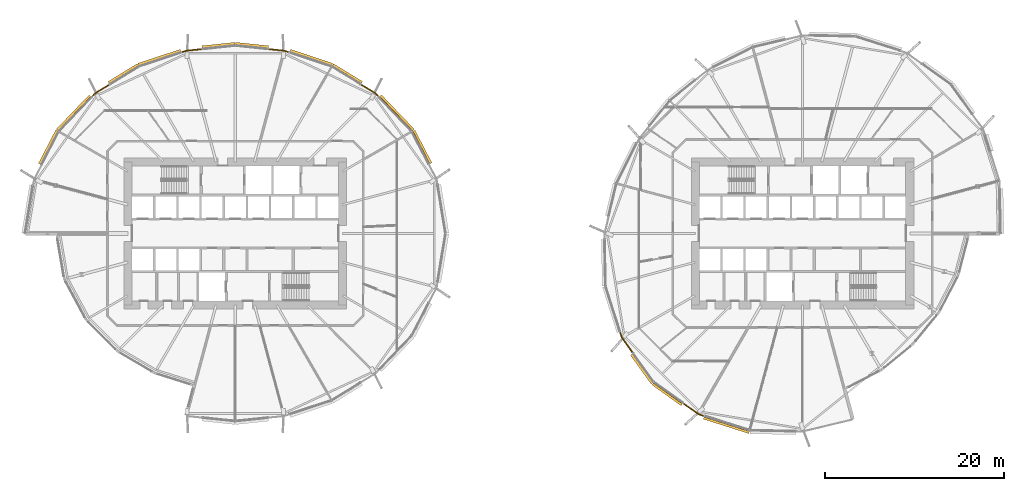
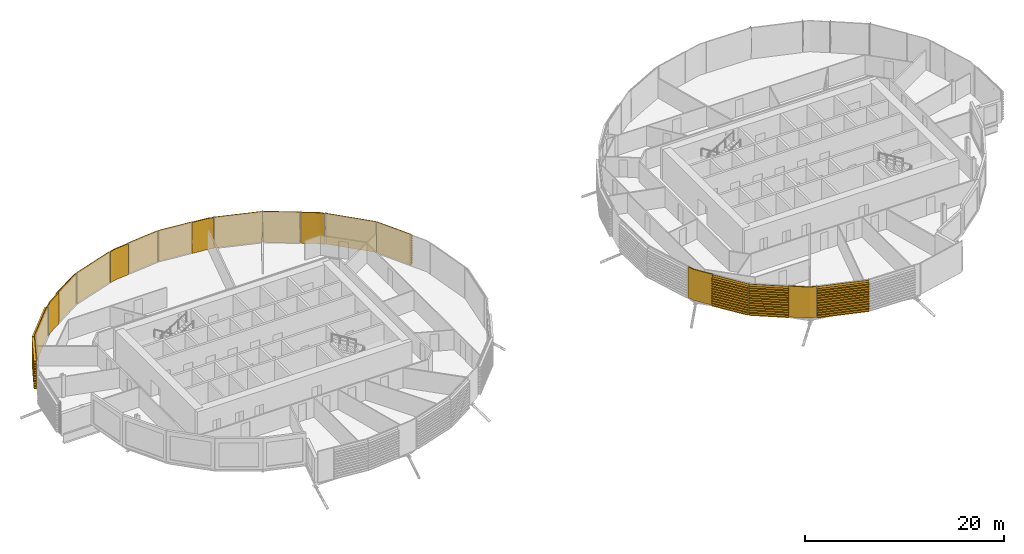
# One storey, part 35 of 38: 19 coverings.
"""IFC4 building model written with IfcOpenShell, lengths in metres."""

from ifc_helpers import new_model, si_unit, direction, frame, origin, place, context, subcontext, project, spatial, polyline, outline, extrude, material, layer, layer_set, material_profile, profile_set, type_object, element, save


model = new_model("IFC4")

# Units and contexts
model_context = context("Model", 3, precision=1e-05, world=origin(), true_north=direction((0.0, 1.0)))
body_context = subcontext(model_context, "Body", "Model", "MODEL_VIEW")
ifc_project = project(units=[si_unit("LENGTHUNIT", "METRE"), si_unit("AREAUNIT", "SQUARE_METRE"), si_unit("VOLUMEUNIT", "CUBIC_METRE"), si_unit("PLANEANGLEUNIT", "RADIAN"), si_unit("MASSUNIT", "GRAM", prefix="KILO")], contexts=[model_context])

# Site, building, storey
site_placement = place(None, origin())
site = spatial("IfcSite", under=ifc_project, at=site_placement, CompositionType="ELEMENT")
building_placement = place(site_placement, origin())
building = spatial("IfcBuilding", under=site, at=building_placement, Name="Rimbun Link Towers", CompositionType="ELEMENT")
storey_placement = place(building_placement, frame((0.0, 0.0, 68.0)))
storey = spatial("IfcBuildingStorey", under=building, at=storey_placement, Name="L16", CompositionType="ELEMENT", Elevation=68.0)

# Coverings
ifc_material_1 = material(Name="Terracotta", Category="masonry")
ifc_layer = layer(ifc_material_1, 0.1201171875)
ifc_layer_set = layer_set([ifc_layer], Name="LINK PIER terracotta cladding 120")
covering_type_1 = type_object("IfcCoveringType", Name="LINK PIER terracotta cladding 120", PredefinedType="CLADDING", material=ifc_layer_set)
covering_1_placement = place(storey_placement, origin())
element("IfcCovering", 1, at=covering_1_placement, inside=storey, type_object=covering_type_1, Name="LINK PIER cladding", PredefinedType="CLADDING", context=body_context, shape_type="SweptSolid", body=[
    extrude(outline(polyline([(-17.696044921875, 16.6259765625), (-16.102294921875, 15.647705078125), (-15.7080078125, 15.236083984375), (-15.621337890625, 15.319091796875), (-16.0263671875, 15.74169921875), (-17.63330078125, 16.728271484375), (-17.696044921875, 16.6259765625)])), origin(), (0.0, 0.0, 1.0), 3.800048828125),
])
covering_2_placement = place(storey_placement, origin())
element("IfcCovering", 2, at=covering_2_placement, inside=storey, type_object=covering_type_1, Name="LINK PIER cladding", PredefinedType="CLADDING", context=body_context, shape_type="SweptSolid", body=[
    extrude(outline(polyline([(-28.043701171875, 20.586669921875), (-26.283447265625, 20.4013671875), (-25.742431640625, 20.221923828125), (-25.70458984375, 20.3359375), (-26.258056640625, 20.519287109375), (-28.03125, 20.7060546875), (-28.043701171875, 20.586669921875)])), origin(), (0.0, 0.0, 1.0), 3.800048828125),
])
covering_3_placement = place(storey_placement, origin())
element("IfcCovering", 3, at=covering_3_placement, inside=storey, type_object=covering_type_1, Name="LINK PIER cladding", PredefinedType="CLADDING", context=body_context, shape_type="SweptSolid", body=[
    extrude(outline(polyline([(-37.757568359375, 20.221923828125), (-37.216552734375, 20.4013671875), (-35.456298828125, 20.586669921875), (-35.46875, 20.7060546875), (-37.241943359375, 20.519287109375), (-37.79541015625, 20.3359375), (-37.757568359375, 20.221923828125)])), origin(), (0.0, 0.0, 1.0), 3.800048828125),
])
covering_4_placement = place(storey_placement, origin())
element("IfcCovering", 4, at=covering_4_placement, inside=storey, type_object=covering_type_1, Name="LINK PIER cladding", PredefinedType="CLADDING", context=body_context, shape_type="SweptSolid", body=[
    extrude(outline(polyline([(-47.7919921875, 15.236083984375), (-47.397705078125, 15.647705078125), (-45.803955078125, 16.6259765625), (-45.86669921875, 16.728271484375), (-47.4736328125, 15.74169921875), (-47.878662109375, 15.319091796875), (-47.7919921875, 15.236083984375)])), origin(), (0.0, 0.0, 1.0), 3.800048828125),
])
covering_5_placement = place(storey_placement, origin())
element("IfcCovering", 5, at=covering_5_placement, inside=storey, type_object=covering_type_1, Name="LINK PIER cladding", PredefinedType="CLADDING", context=body_context, shape_type="SweptSolid", body=[
    extrude(outline(polyline([(12.810546875, -13.370849609375), (11.574462890625, -11.648193359375), (11.371337890625, -11.009765625), (11.257080078125, -11.046142578125), (11.4658203125, -11.702880859375), (12.712890625, -13.440673828125), (12.810546875, -13.370849609375)])), origin(), (0.0, 0.0, 1.0), 3.800048828125),
])
covering_6_placement = place(storey_placement, origin())
element("IfcCovering", 6, at=covering_6_placement, inside=storey, type_object=covering_type_1, Name="LINK PIER cladding", PredefinedType="CLADDING", context=body_context, shape_type="SweptSolid", body=[
    extrude(outline(polyline([(20.740234375, -20.378662109375), (20.101806640625, -20.175537109375), (18.419921875, -18.96875), (18.349853515625, -19.066162109375), (20.047119140625, -20.2841796875), (20.703857421875, -20.492919921875), (20.740234375, -20.378662109375)])), origin(), (0.0, 0.0, 1.0), 3.800048828125),
])
ifc_material_2 = material(Name="Terracotta", Category="masonry")
ifc_material_profile = material_profile(ifc_material_2, outline(polyline([(0.123046875, 0.0), (0.1630859375, 0.0), (0.1630859375, 0.10009765625), (0.423095703125, 0.10009765625), (0.423095703125, 0.219970703125), (0.1630859375, 0.219970703125), (0.1630859375, 0.39990234375), (0.423095703125, 0.39990234375), (0.423095703125, 0.52001953125), (0.1630859375, 0.52001953125), (0.1630859375, 0.699951171875), (0.423095703125, 0.699951171875), (0.423095703125, 0.820068359375), (0.1630859375, 0.820068359375), (0.1630859375, 1.0), (0.423095703125, 1.0), (0.423095703125, 1.1201171875), (0.1630859375, 1.1201171875), (0.1630859375, 1.300048828125), (0.423095703125, 1.300048828125), (0.423095703125, 1.419921875), (0.1630859375, 1.419921875), (0.1630859375, 1.60009765625), (0.423095703125, 1.60009765625), (0.423095703125, 1.719970703125), (0.1630859375, 1.719970703125), (0.1630859375, 1.89990234375), (0.423095703125, 1.89990234375), (0.423095703125, 2.02001953125), (0.1630859375, 2.02001953125), (0.1630859375, 2.199951171875), (0.423095703125, 2.199951171875), (0.423095703125, 2.320068359375), (0.1630859375, 2.320068359375), (0.1630859375, 2.5), (0.423095703125, 2.5), (0.423095703125, 2.6201171875), (0.1630859375, 2.6201171875), (0.1630859375, 2.800048828125), (0.423095703125, 2.800048828125), (0.423095703125, 2.919921875), (0.1630859375, 2.919921875), (0.1630859375, 3.10009765625), (0.423095703125, 3.10009765625), (0.423095703125, 3.219970703125), (0.1630859375, 3.219970703125), (0.1630859375, 3.39990234375), (0.423095703125, 3.39990234375), (0.423095703125, 3.52001953125), (0.1630859375, 3.52001953125), (0.1630859375, 3.800048828125), (0.123046875, 3.800048828125), (0.123046875, 0.0)])), Name="BAGUETTE 120X300")
ifc_profile_set = profile_set([ifc_material_profile], Name="Terracotta")
covering_type_2 = type_object("IfcCoveringType", Name="TERRACOTTA BAGUETTE 120X300 H3800", PredefinedType="CLADDING", material=ifc_profile_set)
covering_7_placement = place(storey_placement, frame((-12.02099609375, 11.390380859375, 0.0), z_axis=(0.459543354424, -0.888155338556, 0.0), x_axis=(0.888155338556, 0.459543354424, 0.0)))
element("IfcCovering", 7, at=covering_7_placement, inside=storey, type_object=covering_type_2, Name="TERRACOTTA BAGUETTE", PredefinedType="CLADDING", context=body_context, shape_type="SweptSolid", body=[
    extrude(outline(polyline([(0.123046875, 0.0), (0.1630859375, 0.0), (0.1630859375, 0.10009765625), (0.423095703125, 0.10009765625), (0.423095703125, 0.219970703125), (0.1630859375, 0.219970703125), (0.1630859375, 0.39990234375), (0.423095703125, 0.39990234375), (0.423095703125, 0.52001953125), (0.1630859375, 0.52001953125), (0.1630859375, 0.699951171875), (0.423095703125, 0.699951171875), (0.423095703125, 0.820068359375), (0.1630859375, 0.820068359375), (0.1630859375, 1.0), (0.423095703125, 1.0), (0.423095703125, 1.1201171875), (0.1630859375, 1.1201171875), (0.1630859375, 1.300048828125), (0.423095703125, 1.300048828125), (0.423095703125, 1.419921875), (0.1630859375, 1.419921875), (0.1630859375, 1.60009765625), (0.423095703125, 1.60009765625), (0.423095703125, 1.719970703125), (0.1630859375, 1.719970703125), (0.1630859375, 1.89990234375), (0.423095703125, 1.89990234375), (0.423095703125, 2.02001953125), (0.1630859375, 2.02001953125), (0.1630859375, 2.199951171875), (0.423095703125, 2.199951171875), (0.423095703125, 2.320068359375), (0.1630859375, 2.320068359375), (0.1630859375, 2.5), (0.423095703125, 2.5), (0.423095703125, 2.6201171875), (0.1630859375, 2.6201171875), (0.1630859375, 2.800048828125), (0.423095703125, 2.800048828125), (0.423095703125, 2.919921875), (0.1630859375, 2.919921875), (0.1630859375, 3.10009765625), (0.423095703125, 3.10009765625), (0.423095703125, 3.219970703125), (0.1630859375, 3.219970703125), (0.1630859375, 3.39990234375), (0.423095703125, 3.39990234375), (0.423095703125, 3.52001953125), (0.1630859375, 3.52001953125), (0.1630859375, 3.800048828125), (0.123046875, 3.800048828125), (0.123046875, 0.0)])), origin(), (0.0, 0.0, 1.0), 4.135986328125),
])
covering_8_placement = place(storey_placement, frame((-15.687255859375, 15.214599609375, 0.0), z_axis=(0.6920414756, -0.721857739482, 0.0), x_axis=(0.721857739482, 0.6920414756, 0.0)))
element("IfcCovering", 8, at=covering_8_placement, inside=storey, type_object=covering_type_2, Name="TERRACOTTA BAGUETTE", PredefinedType="CLADDING", context=body_context, shape_type="SweptSolid", body=[
    extrude(outline(polyline([(0.123046875, 0.0), (0.1630859375, 0.0), (0.1630859375, 0.10009765625), (0.423095703125, 0.10009765625), (0.423095703125, 0.219970703125), (0.1630859375, 0.219970703125), (0.1630859375, 0.39990234375), (0.423095703125, 0.39990234375), (0.423095703125, 0.52001953125), (0.1630859375, 0.52001953125), (0.1630859375, 0.699951171875), (0.423095703125, 0.699951171875), (0.423095703125, 0.820068359375), (0.1630859375, 0.820068359375), (0.1630859375, 1.0), (0.423095703125, 1.0), (0.423095703125, 1.1201171875), (0.1630859375, 1.1201171875), (0.1630859375, 1.300048828125), (0.423095703125, 1.300048828125), (0.423095703125, 1.419921875), (0.1630859375, 1.419921875), (0.1630859375, 1.60009765625), (0.423095703125, 1.60009765625), (0.423095703125, 1.719970703125), (0.1630859375, 1.719970703125), (0.1630859375, 1.89990234375), (0.423095703125, 1.89990234375), (0.423095703125, 2.02001953125), (0.1630859375, 2.02001953125), (0.1630859375, 2.199951171875), (0.423095703125, 2.199951171875), (0.423095703125, 2.320068359375), (0.1630859375, 2.320068359375), (0.1630859375, 2.5), (0.423095703125, 2.5), (0.423095703125, 2.6201171875), (0.1630859375, 2.6201171875), (0.1630859375, 2.800048828125), (0.423095703125, 2.800048828125), (0.423095703125, 2.919921875), (0.1630859375, 2.919921875), (0.1630859375, 3.10009765625), (0.423095703125, 3.10009765625), (0.423095703125, 3.219970703125), (0.1630859375, 3.219970703125), (0.1630859375, 3.39990234375), (0.423095703125, 3.39990234375), (0.423095703125, 3.52001953125), (0.1630859375, 3.52001953125), (0.1630859375, 3.800048828125), (0.123046875, 3.800048828125), (0.123046875, 0.0)])), origin(), (0.0, 0.0, 1.0), 5.2978515625),
])
covering_9_placement = place(storey_placement, frame((-20.985107421875, 18.6455078125, 0.0), z_axis=(0.852211619155, -0.523197244046, 0.0), x_axis=(0.523197244046, 0.852211619155, 0.0)))
element("IfcCovering", 9, at=covering_9_placement, inside=storey, type_object=covering_type_2, Name="TERRACOTTA BAGUETTE", PredefinedType="CLADDING", context=body_context, shape_type="SweptSolid", body=[
    extrude(outline(polyline([(0.123046875, 0.0), (0.1630859375, 0.0), (0.1630859375, 0.10009765625), (0.423095703125, 0.10009765625), (0.423095703125, 0.219970703125), (0.1630859375, 0.219970703125), (0.1630859375, 0.39990234375), (0.423095703125, 0.39990234375), (0.423095703125, 0.52001953125), (0.1630859375, 0.52001953125), (0.1630859375, 0.699951171875), (0.423095703125, 0.699951171875), (0.423095703125, 0.820068359375), (0.1630859375, 0.820068359375), (0.1630859375, 1.0), (0.423095703125, 1.0), (0.423095703125, 1.1201171875), (0.1630859375, 1.1201171875), (0.1630859375, 1.300048828125), (0.423095703125, 1.300048828125), (0.423095703125, 1.419921875), (0.1630859375, 1.419921875), (0.1630859375, 1.60009765625), (0.423095703125, 1.60009765625), (0.423095703125, 1.719970703125), (0.1630859375, 1.719970703125), (0.1630859375, 1.89990234375), (0.423095703125, 1.89990234375), (0.423095703125, 2.02001953125), (0.1630859375, 2.02001953125), (0.1630859375, 2.199951171875), (0.423095703125, 2.199951171875), (0.423095703125, 2.320068359375), (0.1630859375, 2.320068359375), (0.1630859375, 2.5), (0.423095703125, 2.5), (0.423095703125, 2.6201171875), (0.1630859375, 2.6201171875), (0.1630859375, 2.800048828125), (0.423095703125, 2.800048828125), (0.423095703125, 2.919921875), (0.1630859375, 2.919921875), (0.1630859375, 3.10009765625), (0.423095703125, 3.10009765625), (0.423095703125, 3.219970703125), (0.1630859375, 3.219970703125), (0.1630859375, 3.39990234375), (0.423095703125, 3.39990234375), (0.423095703125, 3.52001953125), (0.1630859375, 3.52001953125), (0.1630859375, 3.800048828125), (0.123046875, 3.800048828125), (0.123046875, 0.0)])), origin(), (0.0, 0.0, 1.0), 3.82958984375),
])
covering_10_placement = place(storey_placement, frame((-25.7138671875, 20.212646484375, 0.0), z_axis=(0.949230755565, -0.314580629871, 0.0), x_axis=(0.314580629871, 0.949230755565, 0.0)))
element("IfcCovering", 10, at=covering_10_placement, inside=storey, type_object=covering_type_2, Name="TERRACOTTA BAGUETTE", PredefinedType="CLADDING", context=body_context, shape_type="SweptSolid", body=[
    extrude(outline(polyline([(0.123046875, 0.0), (0.1630859375, 0.0), (0.1630859375, 0.10009765625), (0.423095703125, 0.10009765625), (0.423095703125, 0.219970703125), (0.1630859375, 0.219970703125), (0.1630859375, 0.39990234375), (0.423095703125, 0.39990234375), (0.423095703125, 0.52001953125), (0.1630859375, 0.52001953125), (0.1630859375, 0.699951171875), (0.423095703125, 0.699951171875), (0.423095703125, 0.820068359375), (0.1630859375, 0.820068359375), (0.1630859375, 1.0), (0.423095703125, 1.0), (0.423095703125, 1.1201171875), (0.1630859375, 1.1201171875), (0.1630859375, 1.300048828125), (0.423095703125, 1.300048828125), (0.423095703125, 1.419921875), (0.1630859375, 1.419921875), (0.1630859375, 1.60009765625), (0.423095703125, 1.60009765625), (0.423095703125, 1.719970703125), (0.1630859375, 1.719970703125), (0.1630859375, 1.89990234375), (0.423095703125, 1.89990234375), (0.423095703125, 2.02001953125), (0.1630859375, 2.02001953125), (0.1630859375, 2.199951171875), (0.423095703125, 2.199951171875), (0.423095703125, 2.320068359375), (0.1630859375, 2.320068359375), (0.1630859375, 2.5), (0.423095703125, 2.5), (0.423095703125, 2.6201171875), (0.1630859375, 2.6201171875), (0.1630859375, 2.800048828125), (0.423095703125, 2.800048828125), (0.423095703125, 2.919921875), (0.1630859375, 2.919921875), (0.1630859375, 3.10009765625), (0.423095703125, 3.10009765625), (0.423095703125, 3.219970703125), (0.1630859375, 3.219970703125), (0.1630859375, 3.39990234375), (0.423095703125, 3.39990234375), (0.423095703125, 3.52001953125), (0.1630859375, 3.52001953125), (0.1630859375, 3.800048828125), (0.123046875, 3.800048828125), (0.123046875, 0.0)])), origin(), (0.0, 0.0, 1.0), 4.981689453125),
])
for number, where, z_axis, x_axis, name in (
    (11, (-31.75, 20.97705078125, 0.0), (0.994499661573, -0.104739787719, 0.0), (0.104739787719, 0.994499661573, 0.0), "TERRACOTTA BAGUETTE"),
    (12, (-35.426513671875, 20.58984375, 0.0), (0.994499661573, 0.104739787719, 0.0), (-0.104739787719, 0.994499661573, 0.0), "TERRACOTTA BAGUETTE"),
):
    element("IfcCovering", number, at=place(storey_placement, frame(where, z_axis=z_axis, x_axis=x_axis)), inside=storey, type_object=covering_type_2, Name=name, PredefinedType="CLADDING", context=body_context, shape_type="SweptSolid", body=[
        extrude(outline(polyline([(0.123046875, 0.0), (0.1630859375, 0.0), (0.1630859375, 0.10009765625), (0.423095703125, 0.10009765625), (0.423095703125, 0.219970703125), (0.1630859375, 0.219970703125), (0.1630859375, 0.39990234375), (0.423095703125, 0.39990234375), (0.423095703125, 0.52001953125), (0.1630859375, 0.52001953125), (0.1630859375, 0.699951171875), (0.423095703125, 0.699951171875), (0.423095703125, 0.820068359375), (0.1630859375, 0.820068359375), (0.1630859375, 1.0), (0.423095703125, 1.0), (0.423095703125, 1.1201171875), (0.1630859375, 1.1201171875), (0.1630859375, 1.300048828125), (0.423095703125, 1.300048828125), (0.423095703125, 1.419921875), (0.1630859375, 1.419921875), (0.1630859375, 1.60009765625), (0.423095703125, 1.60009765625), (0.423095703125, 1.719970703125), (0.1630859375, 1.719970703125), (0.1630859375, 1.89990234375), (0.423095703125, 1.89990234375), (0.423095703125, 2.02001953125), (0.1630859375, 2.02001953125), (0.1630859375, 2.199951171875), (0.423095703125, 2.199951171875), (0.423095703125, 2.320068359375), (0.1630859375, 2.320068359375), (0.1630859375, 2.5), (0.423095703125, 2.5), (0.423095703125, 2.6201171875), (0.1630859375, 2.6201171875), (0.1630859375, 2.800048828125), (0.423095703125, 2.800048828125), (0.423095703125, 2.919921875), (0.1630859375, 2.919921875), (0.1630859375, 3.10009765625), (0.423095703125, 3.10009765625), (0.423095703125, 3.219970703125), (0.1630859375, 3.219970703125), (0.1630859375, 3.39990234375), (0.423095703125, 3.39990234375), (0.423095703125, 3.52001953125), (0.1630859375, 3.52001953125), (0.1630859375, 3.800048828125), (0.123046875, 3.800048828125), (0.123046875, 0.0)])), origin(), (0.0, 0.0, 1.0), 3.69677734375),
    ])
covering_11_placement = place(storey_placement, frame((-42.514892578125, 18.6455078125, 0.0), z_axis=(0.949230755565, 0.314580629871, 0.0), x_axis=(-0.314580629871, 0.949230755565, 0.0)))
element("IfcCovering", 13, at=covering_11_placement, inside=storey, type_object=covering_type_2, Name="TERRACOTTA BAGUETTE", PredefinedType="CLADDING", context=body_context, shape_type="SweptSolid", body=[
    extrude(outline(polyline([(0.123046875, 0.0), (0.1630859375, 0.0), (0.1630859375, 0.10009765625), (0.423095703125, 0.10009765625), (0.423095703125, 0.219970703125), (0.1630859375, 0.219970703125), (0.1630859375, 0.39990234375), (0.423095703125, 0.39990234375), (0.423095703125, 0.52001953125), (0.1630859375, 0.52001953125), (0.1630859375, 0.699951171875), (0.423095703125, 0.699951171875), (0.423095703125, 0.820068359375), (0.1630859375, 0.820068359375), (0.1630859375, 1.0), (0.423095703125, 1.0), (0.423095703125, 1.1201171875), (0.1630859375, 1.1201171875), (0.1630859375, 1.300048828125), (0.423095703125, 1.300048828125), (0.423095703125, 1.419921875), (0.1630859375, 1.419921875), (0.1630859375, 1.60009765625), (0.423095703125, 1.60009765625), (0.423095703125, 1.719970703125), (0.1630859375, 1.719970703125), (0.1630859375, 1.89990234375), (0.423095703125, 1.89990234375), (0.423095703125, 2.02001953125), (0.1630859375, 2.02001953125), (0.1630859375, 2.199951171875), (0.423095703125, 2.199951171875), (0.423095703125, 2.320068359375), (0.1630859375, 2.320068359375), (0.1630859375, 2.5), (0.423095703125, 2.5), (0.423095703125, 2.6201171875), (0.1630859375, 2.6201171875), (0.1630859375, 2.800048828125), (0.423095703125, 2.800048828125), (0.423095703125, 2.919921875), (0.1630859375, 2.919921875), (0.1630859375, 3.10009765625), (0.423095703125, 3.10009765625), (0.423095703125, 3.219970703125), (0.1630859375, 3.219970703125), (0.1630859375, 3.39990234375), (0.423095703125, 3.39990234375), (0.423095703125, 3.52001953125), (0.1630859375, 3.52001953125), (0.1630859375, 3.800048828125), (0.123046875, 3.800048828125), (0.123046875, 0.0)])), origin(), (0.0, 0.0, 1.0), 4.981689453125),
])
covering_12_placement = place(storey_placement, frame((-45.778564453125, 16.641845703125, 0.0), z_axis=(0.852211619155, 0.523197244046, 0.0), x_axis=(-0.523197244046, 0.852211619155, 0.0)))
element("IfcCovering", 14, at=covering_12_placement, inside=storey, type_object=covering_type_2, Name="TERRACOTTA BAGUETTE", PredefinedType="CLADDING", context=body_context, shape_type="SweptSolid", body=[
    extrude(outline(polyline([(0.123046875, 0.0), (0.1630859375, 0.0), (0.1630859375, 0.10009765625), (0.423095703125, 0.10009765625), (0.423095703125, 0.219970703125), (0.1630859375, 0.219970703125), (0.1630859375, 0.39990234375), (0.423095703125, 0.39990234375), (0.423095703125, 0.52001953125), (0.1630859375, 0.52001953125), (0.1630859375, 0.699951171875), (0.423095703125, 0.699951171875), (0.423095703125, 0.820068359375), (0.1630859375, 0.820068359375), (0.1630859375, 1.0), (0.423095703125, 1.0), (0.423095703125, 1.1201171875), (0.1630859375, 1.1201171875), (0.1630859375, 1.300048828125), (0.423095703125, 1.300048828125), (0.423095703125, 1.419921875), (0.1630859375, 1.419921875), (0.1630859375, 1.60009765625), (0.423095703125, 1.60009765625), (0.423095703125, 1.719970703125), (0.1630859375, 1.719970703125), (0.1630859375, 1.89990234375), (0.423095703125, 1.89990234375), (0.423095703125, 2.02001953125), (0.1630859375, 2.02001953125), (0.1630859375, 2.199951171875), (0.423095703125, 2.199951171875), (0.423095703125, 2.320068359375), (0.1630859375, 2.320068359375), (0.1630859375, 2.5), (0.423095703125, 2.5), (0.423095703125, 2.6201171875), (0.1630859375, 2.6201171875), (0.1630859375, 2.800048828125), (0.423095703125, 2.800048828125), (0.423095703125, 2.919921875), (0.1630859375, 2.919921875), (0.1630859375, 3.10009765625), (0.423095703125, 3.10009765625), (0.423095703125, 3.219970703125), (0.1630859375, 3.219970703125), (0.1630859375, 3.39990234375), (0.423095703125, 3.39990234375), (0.423095703125, 3.52001953125), (0.1630859375, 3.52001953125), (0.1630859375, 3.800048828125), (0.123046875, 3.800048828125), (0.123046875, 0.0)])), origin(), (0.0, 0.0, 1.0), 3.82958984375),
])
covering_13_placement = place(storey_placement, frame((-51.47900390625, 11.390380859375, 0.0), z_axis=(0.6920414756, 0.721857739482, 0.0), x_axis=(-0.721857739482, 0.6920414756, 0.0)))
element("IfcCovering", 15, at=covering_13_placement, inside=storey, type_object=covering_type_2, Name="TERRACOTTA BAGUETTE", PredefinedType="CLADDING", context=body_context, shape_type="SweptSolid", body=[
    extrude(outline(polyline([(0.123046875, 0.0), (0.1630859375, 0.0), (0.1630859375, 0.10009765625), (0.423095703125, 0.10009765625), (0.423095703125, 0.219970703125), (0.1630859375, 0.219970703125), (0.1630859375, 0.39990234375), (0.423095703125, 0.39990234375), (0.423095703125, 0.52001953125), (0.1630859375, 0.52001953125), (0.1630859375, 0.699951171875), (0.423095703125, 0.699951171875), (0.423095703125, 0.820068359375), (0.1630859375, 0.820068359375), (0.1630859375, 1.0), (0.423095703125, 1.0), (0.423095703125, 1.1201171875), (0.1630859375, 1.1201171875), (0.1630859375, 1.300048828125), (0.423095703125, 1.300048828125), (0.423095703125, 1.419921875), (0.1630859375, 1.419921875), (0.1630859375, 1.60009765625), (0.423095703125, 1.60009765625), (0.423095703125, 1.719970703125), (0.1630859375, 1.719970703125), (0.1630859375, 1.89990234375), (0.423095703125, 1.89990234375), (0.423095703125, 2.02001953125), (0.1630859375, 2.02001953125), (0.1630859375, 2.199951171875), (0.423095703125, 2.199951171875), (0.423095703125, 2.320068359375), (0.1630859375, 2.320068359375), (0.1630859375, 2.5), (0.423095703125, 2.5), (0.423095703125, 2.6201171875), (0.1630859375, 2.6201171875), (0.1630859375, 2.800048828125), (0.423095703125, 2.800048828125), (0.423095703125, 2.919921875), (0.1630859375, 2.919921875), (0.1630859375, 3.10009765625), (0.423095703125, 3.10009765625), (0.423095703125, 3.219970703125), (0.1630859375, 3.219970703125), (0.1630859375, 3.39990234375), (0.423095703125, 3.39990234375), (0.423095703125, 3.52001953125), (0.1630859375, 3.52001953125), (0.1630859375, 3.800048828125), (0.123046875, 3.800048828125), (0.123046875, 0.0)])), origin(), (0.0, 0.0, 1.0), 5.2978515625),
])
covering_14_placement = place(storey_placement, frame((-53.402587890625, 7.672607421875, 0.0), z_axis=(0.459535569323, 0.888159366627, 0.0), x_axis=(-0.888159366627, 0.459535569323, 0.0)))
element("IfcCovering", 16, at=covering_14_placement, inside=storey, type_object=covering_type_2, Name="TERRACOTTA BAGUETTE", PredefinedType="CLADDING", context=body_context, shape_type="SweptSolid", body=[
    extrude(outline(polyline([(0.123046875, 0.0), (0.1630859375, 0.0), (0.1630859375, 0.10009765625), (0.423095703125, 0.10009765625), (0.423095703125, 0.219970703125), (0.1630859375, 0.219970703125), (0.1630859375, 0.39990234375), (0.423095703125, 0.39990234375), (0.423095703125, 0.52001953125), (0.1630859375, 0.52001953125), (0.1630859375, 0.699951171875), (0.423095703125, 0.699951171875), (0.423095703125, 0.820068359375), (0.1630859375, 0.820068359375), (0.1630859375, 1.0), (0.423095703125, 1.0), (0.423095703125, 1.1201171875), (0.1630859375, 1.1201171875), (0.1630859375, 1.300048828125), (0.423095703125, 1.300048828125), (0.423095703125, 1.419921875), (0.1630859375, 1.419921875), (0.1630859375, 1.60009765625), (0.423095703125, 1.60009765625), (0.423095703125, 1.719970703125), (0.1630859375, 1.719970703125), (0.1630859375, 1.89990234375), (0.423095703125, 1.89990234375), (0.423095703125, 2.02001953125), (0.1630859375, 2.02001953125), (0.1630859375, 2.199951171875), (0.423095703125, 2.199951171875), (0.423095703125, 2.320068359375), (0.1630859375, 2.320068359375), (0.1630859375, 2.5), (0.423095703125, 2.5), (0.423095703125, 2.6201171875), (0.1630859375, 2.6201171875), (0.1630859375, 2.800048828125), (0.423095703125, 2.800048828125), (0.423095703125, 2.919921875), (0.1630859375, 2.919921875), (0.1630859375, 3.10009765625), (0.423095703125, 3.10009765625), (0.423095703125, 3.219970703125), (0.1630859375, 3.219970703125), (0.1630859375, 3.39990234375), (0.423095703125, 3.39990234375), (0.423095703125, 3.52001953125), (0.1630859375, 3.52001953125), (0.1630859375, 3.800048828125), (0.123046875, 3.800048828125), (0.123046875, 0.0)])), origin(), (0.0, 0.0, 1.0), 4.18603515625),
])
covering_15_placement = place(storey_placement, frame((15.136962890625, -16.613037109375, 0.0), z_axis=(-0.582991918252, 0.812477952472, 0.0), x_axis=(-0.812477952472, -0.582991918252, 0.0)))
element("IfcCovering", 17, at=covering_15_placement, inside=storey, type_object=covering_type_2, Name="TERRACOTTA BAGUETTE", PredefinedType="CLADDING", context=body_context, shape_type="SweptSolid", body=[
    extrude(outline(polyline([(0.123046875, 0.0), (0.1630859375, 0.0), (0.1630859375, 0.10009765625), (0.423095703125, 0.10009765625), (0.423095703125, 0.219970703125), (0.1630859375, 0.219970703125), (0.1630859375, 0.39990234375), (0.423095703125, 0.39990234375), (0.423095703125, 0.52001953125), (0.1630859375, 0.52001953125), (0.1630859375, 0.699951171875), (0.423095703125, 0.699951171875), (0.423095703125, 0.820068359375), (0.1630859375, 0.820068359375), (0.1630859375, 1.0), (0.423095703125, 1.0), (0.423095703125, 1.1201171875), (0.1630859375, 1.1201171875), (0.1630859375, 1.300048828125), (0.423095703125, 1.300048828125), (0.423095703125, 1.419921875), (0.1630859375, 1.419921875), (0.1630859375, 1.60009765625), (0.423095703125, 1.60009765625), (0.423095703125, 1.719970703125), (0.1630859375, 1.719970703125), (0.1630859375, 1.89990234375), (0.423095703125, 1.89990234375), (0.423095703125, 2.02001953125), (0.1630859375, 2.02001953125), (0.1630859375, 2.199951171875), (0.423095703125, 2.199951171875), (0.423095703125, 2.320068359375), (0.1630859375, 2.320068359375), (0.1630859375, 2.5), (0.423095703125, 2.5), (0.423095703125, 2.6201171875), (0.1630859375, 2.6201171875), (0.1630859375, 2.800048828125), (0.423095703125, 2.800048828125), (0.423095703125, 2.919921875), (0.1630859375, 2.919921875), (0.1630859375, 3.10009765625), (0.423095703125, 3.10009765625), (0.423095703125, 3.219970703125), (0.1630859375, 3.219970703125), (0.1630859375, 3.39990234375), (0.423095703125, 3.39990234375), (0.423095703125, 3.52001953125), (0.1630859375, 3.52001953125), (0.1630859375, 3.800048828125), (0.123046875, 3.800048828125), (0.123046875, 0.0)])), origin(), (0.0, 0.0, 1.0), 3.960693359375),
])
covering_16_placement = place(storey_placement, frame((18.3955078125, -18.951171875, 0.0), z_axis=(-0.812481209702, 0.582987378835, 0.0), x_axis=(-0.582987378835, -0.812481209702, 0.0)))
element("IfcCovering", 18, at=covering_16_placement, inside=storey, type_object=covering_type_2, Name="TERRACOTTA BAGUETTE", PredefinedType="CLADDING", context=body_context, shape_type="SweptSolid", body=[
    extrude(outline(polyline([(0.123046875, 0.0), (0.1630859375, 0.0), (0.1630859375, 0.10009765625), (0.423095703125, 0.10009765625), (0.423095703125, 0.219970703125), (0.1630859375, 0.219970703125), (0.1630859375, 0.39990234375), (0.423095703125, 0.39990234375), (0.423095703125, 0.52001953125), (0.1630859375, 0.52001953125), (0.1630859375, 0.699951171875), (0.423095703125, 0.699951171875), (0.423095703125, 0.820068359375), (0.1630859375, 0.820068359375), (0.1630859375, 1.0), (0.423095703125, 1.0), (0.423095703125, 1.1201171875), (0.1630859375, 1.1201171875), (0.1630859375, 1.300048828125), (0.423095703125, 1.300048828125), (0.423095703125, 1.419921875), (0.1630859375, 1.419921875), (0.1630859375, 1.60009765625), (0.423095703125, 1.60009765625), (0.423095703125, 1.719970703125), (0.1630859375, 1.719970703125), (0.1630859375, 1.89990234375), (0.423095703125, 1.89990234375), (0.423095703125, 2.02001953125), (0.1630859375, 2.02001953125), (0.1630859375, 2.199951171875), (0.423095703125, 2.199951171875), (0.423095703125, 2.320068359375), (0.1630859375, 2.320068359375), (0.1630859375, 2.5), (0.423095703125, 2.5), (0.423095703125, 2.6201171875), (0.1630859375, 2.6201171875), (0.1630859375, 2.800048828125), (0.423095703125, 2.800048828125), (0.423095703125, 2.919921875), (0.1630859375, 2.919921875), (0.1630859375, 3.10009765625), (0.423095703125, 3.10009765625), (0.423095703125, 3.219970703125), (0.1630859375, 3.219970703125), (0.1630859375, 3.39990234375), (0.423095703125, 3.39990234375), (0.423095703125, 3.52001953125), (0.1630859375, 3.52001953125), (0.1630859375, 3.800048828125), (0.123046875, 3.800048828125), (0.123046875, 0.0)])), origin(), (0.0, 0.0, 1.0), 4.010498046875),
])
covering_17_placement = place(storey_placement, frame((25.853759765625, -22.0048828125, 0.0), z_axis=(-0.952966632443, 0.303075233978, 0.0), x_axis=(-0.303075233978, -0.952966632443, 0.0)))
element("IfcCovering", 19, at=covering_17_placement, inside=storey, type_object=covering_type_2, Name="TERRACOTTA BAGUETTE", PredefinedType="CLADDING", context=body_context, shape_type="SweptSolid", body=[
    extrude(outline(polyline([(0.123046875, 0.0), (0.1630859375, 0.0), (0.1630859375, 0.10009765625), (0.423095703125, 0.10009765625), (0.423095703125, 0.219970703125), (0.1630859375, 0.219970703125), (0.1630859375, 0.39990234375), (0.423095703125, 0.39990234375), (0.423095703125, 0.52001953125), (0.1630859375, 0.52001953125), (0.1630859375, 0.699951171875), (0.423095703125, 0.699951171875), (0.423095703125, 0.820068359375), (0.1630859375, 0.820068359375), (0.1630859375, 1.0), (0.423095703125, 1.0), (0.423095703125, 1.1201171875), (0.1630859375, 1.1201171875), (0.1630859375, 1.300048828125), (0.423095703125, 1.300048828125), (0.423095703125, 1.419921875), (0.1630859375, 1.419921875), (0.1630859375, 1.60009765625), (0.423095703125, 1.60009765625), (0.423095703125, 1.719970703125), (0.1630859375, 1.719970703125), (0.1630859375, 1.89990234375), (0.423095703125, 1.89990234375), (0.423095703125, 2.02001953125), (0.1630859375, 2.02001953125), (0.1630859375, 2.199951171875), (0.423095703125, 2.199951171875), (0.423095703125, 2.320068359375), (0.1630859375, 2.320068359375), (0.1630859375, 2.5), (0.423095703125, 2.5), (0.423095703125, 2.6201171875), (0.1630859375, 2.6201171875), (0.1630859375, 2.800048828125), (0.423095703125, 2.800048828125), (0.423095703125, 2.919921875), (0.1630859375, 2.919921875), (0.1630859375, 3.10009765625), (0.423095703125, 3.10009765625), (0.423095703125, 3.219970703125), (0.1630859375, 3.219970703125), (0.1630859375, 3.39990234375), (0.423095703125, 3.39990234375), (0.423095703125, 3.52001953125), (0.1630859375, 3.52001953125), (0.1630859375, 3.800048828125), (0.123046875, 3.800048828125), (0.123046875, 0.0)])), origin(), (0.0, 0.0, 1.0), 5.3359375),
])

save(model, "model.ifc")
